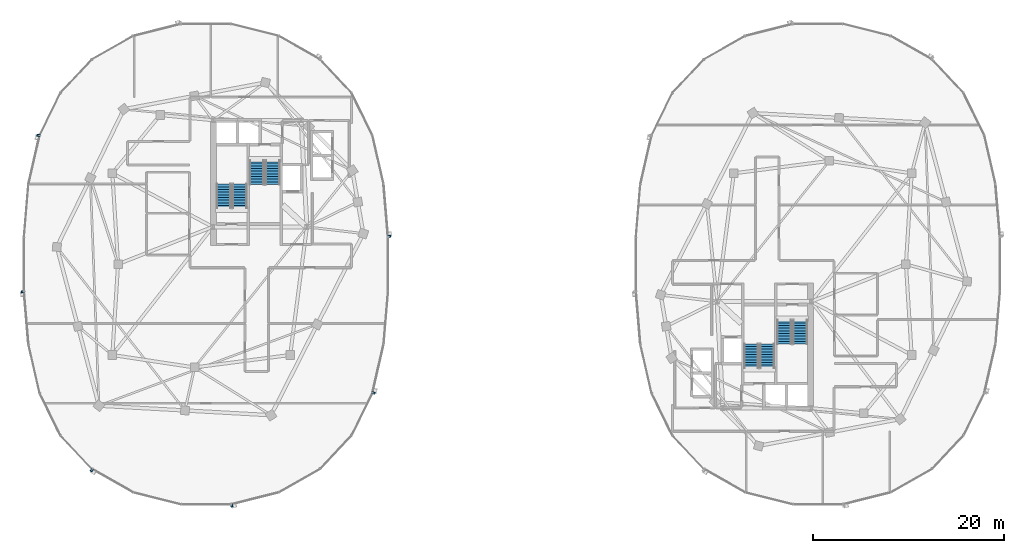
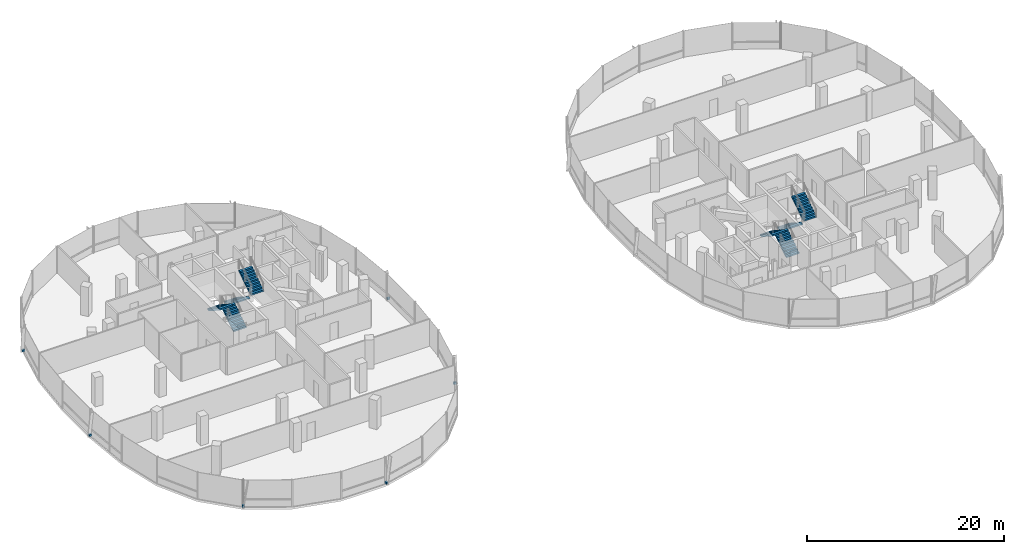
# One storey, part 18 of 25: 8 stair flights, 6 discrete accessories, 4 elements without a shape of their own.
"""IFC4 building model written with IfcOpenShell, lengths in metres."""

from ifc_helpers import new_model, si_unit, direction, frame, origin, origin_2d, place, context, subcontext, project, spatial, polyline, rectangle, outline, extrude, material, type_object, element, aggregate, save


model = new_model("IFC4")

# Units and contexts
model_context = context("Model", 3, precision=1e-05, world=origin(), true_north=direction((0.0, 1.0)))
body_context = subcontext(model_context, "Body", "Model", "MODEL_VIEW")
ifc_project = project(units=[si_unit("LENGTHUNIT", "METRE"), si_unit("AREAUNIT", "SQUARE_METRE"), si_unit("VOLUMEUNIT", "CUBIC_METRE"), si_unit("PLANEANGLEUNIT", "RADIAN"), si_unit("MASSUNIT", "GRAM", prefix="KILO"), si_unit("THERMODYNAMICTEMPERATUREUNIT", "KELVIN"), si_unit("POWERUNIT", "WATT")], contexts=[model_context])

# Site, building, storey
site_placement = place(None, origin())
site = spatial("IfcSite", under=ifc_project, at=site_placement, CompositionType="ELEMENT")
building_placement = place(site_placement, origin())
building = spatial("IfcBuilding", under=site, at=building_placement, Name="Cundina Bronze Exchange", CompositionType="ELEMENT")
storey_placement = place(building_placement, frame((0.0, 0.0, 220.60009765625)))
storey = spatial("IfcBuildingStorey", under=building, at=storey_placement, Name="L58", CompositionType="ELEMENT", Elevation=220.60009765625)

# Stair, stair flights
ifc_material_1 = material(Name="Concrete C40/50", Category="concrete")
stair_type = type_object("IfcStairType", Name="STR-OFF-360", PredefinedType="HALF_TURN_STAIR", material=ifc_material_1)
stair_1_placement = place(storey_placement, origin())
stair_1 = element("IfcStair", 1, at=stair_1_placement, inside=storey, type_object=stair_type, Name="L58 Smokeproof Exit Stair W1", PredefinedType="HALF_TURN_STAIR")
stair_flight_type = type_object("IfcStairFlightType", Name="FLG-OFF-180", PredefinedType="STRAIGHT", material=ifc_material_1)
stair_flight_1_placement = place(storey_placement, frame((-28.489990234375, 5.85009765625, 0.0), z_axis=(0.0, 0.0, 1.0), x_axis=(0.0, 1.0, 0.0)))
stair_flight_1 = element("IfcStairFlight", 2, at=stair_flight_1_placement, type_object=stair_flight_type, Name="ST-W1 flight 1", NumberOfRisers=10, NumberOfTreads=9, PredefinedType="STRAIGHT", RiserHeight=0.18, TreadLength=0.28, context=body_context, shape_type="SweptSolid", body=[
    extrude(outline(polyline([(0.0, 0.0), (0.0, 0.179931640625), (0.280029296875, 0.179931640625), (0.280029296875, 0.360107421875), (0.56005859375, 0.360107421875), (0.56005859375, 0.5400390625), (0.840087890625, 0.5400390625), (0.840087890625, 0.719970703125), (1.1201171875, 0.719970703125), (1.1201171875, 0.89990234375), (1.39990234375, 0.89990234375), (1.39990234375, 1.080078125), (1.679931640625, 1.080078125), (1.679931640625, 1.260009765625), (1.9599609375, 1.260009765625), (1.9599609375, 1.43994140625), (2.239990234375, 1.43994140625), (2.239990234375, 1.6201171875), (2.52001953125, 1.6201171875), (2.52001953125, 1.800048828125), (2.52001953125, 1.44189453125), (0.277099609375, 0.0), (0.0, 0.0)])), frame((0.0, 0.75, 0.0), z_axis=(0.0, -1.0, 0.0), x_axis=(1.0, 0.0, 0.0)), (0.0, 0.0, 1.0), 1.5),
])
stair_flight_2_placement = place(storey_placement, frame((-30.14990234375, 8.3701171875, 1.7998046875), z_axis=(0.0, 0.0, 1.0), x_axis=(0.0, -1.0, 0.0)))
stair_flight_2 = element("IfcStairFlight", 3, at=stair_flight_2_placement, type_object=stair_flight_type, Name="ST-W1 flight 2", NumberOfRisers=10, NumberOfTreads=9, PredefinedType="STRAIGHT", RiserHeight=0.18, TreadLength=0.28, context=body_context, shape_type="SweptSolid", body=[
    extrude(outline(polyline([(0.0, 0.0), (0.0, 0.179931640625), (0.280029296875, 0.179931640625), (0.280029296875, 0.360107421875), (0.56005859375, 0.360107421875), (0.56005859375, 0.5400390625), (0.840087890625, 0.5400390625), (0.840087890625, 0.719970703125), (1.1201171875, 0.719970703125), (1.1201171875, 0.89990234375), (1.39990234375, 0.89990234375), (1.39990234375, 1.080078125), (1.679931640625, 1.080078125), (1.679931640625, 1.260009765625), (1.9599609375, 1.260009765625), (1.9599609375, 1.43994140625), (2.239990234375, 1.43994140625), (2.239990234375, 1.6201171875), (2.52001953125, 1.6201171875), (2.52001953125, 1.800048828125), (2.52001953125, 1.44189453125), (0.277099609375, 0.0), (0.0, 0.0)])), frame((0.0, 0.75, 0.0), z_axis=(0.0, -1.0, 0.0), x_axis=(1.0, 0.0, 0.0)), (0.0, 0.0, 1.0), 1.5),
])
aggregate(stair_1, [stair_flight_1, stair_flight_2])

stair_2_placement = place(storey_placement, origin())
stair_2 = element("IfcStair", 4, at=stair_2_placement, inside=storey, type_object=stair_type, Name="L58 Smokeproof Exit Stair W2", PredefinedType="HALF_TURN_STAIR")
stair_flight_3_placement = place(storey_placement, frame((-26.68994140625, 10.85009765625, 0.0), z_axis=(0.0, 0.0, 1.0), x_axis=(0.0, -1.0, 0.0)))
stair_flight_3 = element("IfcStairFlight", 5, at=stair_flight_3_placement, type_object=stair_flight_type, Name="ST-W2 flight 1", NumberOfRisers=10, NumberOfTreads=9, PredefinedType="STRAIGHT", RiserHeight=0.18, TreadLength=0.28, context=body_context, shape_type="SweptSolid", body=[
    extrude(outline(polyline([(0.0, 0.0), (0.0, 0.179931640625), (0.280029296875, 0.179931640625), (0.280029296875, 0.360107421875), (0.56005859375, 0.360107421875), (0.56005859375, 0.5400390625), (0.840087890625, 0.5400390625), (0.840087890625, 0.719970703125), (1.1201171875, 0.719970703125), (1.1201171875, 0.89990234375), (1.39990234375, 0.89990234375), (1.39990234375, 1.080078125), (1.679931640625, 1.080078125), (1.679931640625, 1.260009765625), (1.9599609375, 1.260009765625), (1.9599609375, 1.43994140625), (2.239990234375, 1.43994140625), (2.239990234375, 1.6201171875), (2.52001953125, 1.6201171875), (2.52001953125, 1.800048828125), (2.52001953125, 1.44189453125), (0.277099609375, 0.0), (0.0, 0.0)])), frame((0.0, 0.75, 0.0), z_axis=(0.0, -1.0, 0.0), x_axis=(1.0, 0.0, 0.0)), (0.0, 0.0, 1.0), 1.5),
])
stair_flight_4_placement = place(storey_placement, frame((-25.030029296875, 8.330078125, 1.7998046875), z_axis=(0.0, 0.0, 1.0), x_axis=(0.0, 1.0, 0.0)))
stair_flight_4 = element("IfcStairFlight", 6, at=stair_flight_4_placement, type_object=stair_flight_type, Name="ST-W2 flight 2", NumberOfRisers=10, NumberOfTreads=9, PredefinedType="STRAIGHT", RiserHeight=0.18, TreadLength=0.28, context=body_context, shape_type="SweptSolid", body=[
    extrude(outline(polyline([(0.0, 0.0), (0.0, 0.179931640625), (0.280029296875, 0.179931640625), (0.280029296875, 0.360107421875), (0.56005859375, 0.360107421875), (0.56005859375, 0.5400390625), (0.840087890625, 0.5400390625), (0.840087890625, 0.719970703125), (1.1201171875, 0.719970703125), (1.1201171875, 0.89990234375), (1.39990234375, 0.89990234375), (1.39990234375, 1.080078125), (1.679931640625, 1.080078125), (1.679931640625, 1.260009765625), (1.9599609375, 1.260009765625), (1.9599609375, 1.43994140625), (2.239990234375, 1.43994140625), (2.239990234375, 1.6201171875), (2.52001953125, 1.6201171875), (2.52001953125, 1.800048828125), (2.52001953125, 1.44189453125), (0.277099609375, 0.0), (0.0, 0.0)])), frame((0.0, 0.75, 0.0), z_axis=(0.0, -1.0, 0.0), x_axis=(1.0, 0.0, 0.0)), (0.0, 0.0, 1.0), 1.5),
])
aggregate(stair_2, [stair_flight_3, stair_flight_4])

stair_3_placement = place(storey_placement, origin())
stair_3 = element("IfcStair", 7, at=stair_3_placement, inside=storey, type_object=stair_type, Name="L58 Smokeproof Exit Stair E1", PredefinedType="HALF_TURN_STAIR")
stair_flight_5_placement = place(storey_placement, frame((28.489990234375, -5.85009765625, 0.0), z_axis=(0.0, 0.0, 1.0), x_axis=(0.0, -1.0, 0.0)))
stair_flight_5 = element("IfcStairFlight", 8, at=stair_flight_5_placement, type_object=stair_flight_type, Name="ST-E1 flight 1", NumberOfRisers=10, NumberOfTreads=9, PredefinedType="STRAIGHT", RiserHeight=0.18, TreadLength=0.28, context=body_context, shape_type="SweptSolid", body=[
    extrude(outline(polyline([(0.0, 0.0), (0.0, 0.179931640625), (0.280029296875, 0.179931640625), (0.280029296875, 0.360107421875), (0.56005859375, 0.360107421875), (0.56005859375, 0.5400390625), (0.840087890625, 0.5400390625), (0.840087890625, 0.719970703125), (1.1201171875, 0.719970703125), (1.1201171875, 0.89990234375), (1.39990234375, 0.89990234375), (1.39990234375, 1.080078125), (1.679931640625, 1.080078125), (1.679931640625, 1.260009765625), (1.9599609375, 1.260009765625), (1.9599609375, 1.43994140625), (2.239990234375, 1.43994140625), (2.239990234375, 1.6201171875), (2.52001953125, 1.6201171875), (2.52001953125, 1.800048828125), (2.52001953125, 1.44189453125), (0.277099609375, 0.0), (0.0, 0.0)])), frame((0.0, 0.75, 0.0), z_axis=(0.0, -1.0, 0.0), x_axis=(1.0, 0.0, 0.0)), (0.0, 0.0, 1.0), 1.5),
])
stair_flight_6_placement = place(storey_placement, frame((30.14990234375, -8.3701171875, 1.7998046875), z_axis=(0.0, 0.0, 1.0), x_axis=(0.0, 1.0, 0.0)))
stair_flight_6 = element("IfcStairFlight", 9, at=stair_flight_6_placement, type_object=stair_flight_type, Name="ST-E1 flight 2", NumberOfRisers=10, NumberOfTreads=9, PredefinedType="STRAIGHT", RiserHeight=0.18, TreadLength=0.28, context=body_context, shape_type="SweptSolid", body=[
    extrude(outline(polyline([(0.0, 0.0), (0.0, 0.179931640625), (0.280029296875, 0.179931640625), (0.280029296875, 0.360107421875), (0.56005859375, 0.360107421875), (0.56005859375, 0.5400390625), (0.840087890625, 0.5400390625), (0.840087890625, 0.719970703125), (1.1201171875, 0.719970703125), (1.1201171875, 0.89990234375), (1.39990234375, 0.89990234375), (1.39990234375, 1.080078125), (1.679931640625, 1.080078125), (1.679931640625, 1.260009765625), (1.9599609375, 1.260009765625), (1.9599609375, 1.43994140625), (2.239990234375, 1.43994140625), (2.239990234375, 1.6201171875), (2.52001953125, 1.6201171875), (2.52001953125, 1.800048828125), (2.52001953125, 1.44189453125), (0.277099609375, 0.0), (0.0, 0.0)])), frame((0.0, 0.75, 0.0), z_axis=(0.0, -1.0, 0.0), x_axis=(1.0, 0.0, 0.0)), (0.0, 0.0, 1.0), 1.5),
])
aggregate(stair_3, [stair_flight_5, stair_flight_6])

stair_4_placement = place(storey_placement, origin())
stair_4 = element("IfcStair", 10, at=stair_4_placement, inside=storey, type_object=stair_type, Name="L58 Smokeproof Exit Stair E2", PredefinedType="HALF_TURN_STAIR")
stair_flight_7_placement = place(storey_placement, frame((26.68994140625, -10.85009765625, 0.0), z_axis=(0.0, 0.0, 1.0), x_axis=(0.0, 1.0, 0.0)))
stair_flight_7 = element("IfcStairFlight", 11, at=stair_flight_7_placement, type_object=stair_flight_type, Name="ST-E2 flight 1", NumberOfRisers=10, NumberOfTreads=9, PredefinedType="STRAIGHT", RiserHeight=0.18, TreadLength=0.28, context=body_context, shape_type="SweptSolid", body=[
    extrude(outline(polyline([(0.0, 0.0), (0.0, 0.179931640625), (0.280029296875, 0.179931640625), (0.280029296875, 0.360107421875), (0.56005859375, 0.360107421875), (0.56005859375, 0.5400390625), (0.840087890625, 0.5400390625), (0.840087890625, 0.719970703125), (1.1201171875, 0.719970703125), (1.1201171875, 0.89990234375), (1.39990234375, 0.89990234375), (1.39990234375, 1.080078125), (1.679931640625, 1.080078125), (1.679931640625, 1.260009765625), (1.9599609375, 1.260009765625), (1.9599609375, 1.43994140625), (2.239990234375, 1.43994140625), (2.239990234375, 1.6201171875), (2.52001953125, 1.6201171875), (2.52001953125, 1.800048828125), (2.52001953125, 1.44189453125), (0.277099609375, 0.0), (0.0, 0.0)])), frame((0.0, 0.75, 0.0), z_axis=(0.0, -1.0, 0.0), x_axis=(1.0, 0.0, 0.0)), (0.0, 0.0, 1.0), 1.5),
])
stair_flight_8_placement = place(storey_placement, frame((25.030029296875, -8.330078125, 1.7998046875), z_axis=(0.0, 0.0, 1.0), x_axis=(0.0, -1.0, 0.0)))
stair_flight_8 = element("IfcStairFlight", 12, at=stair_flight_8_placement, type_object=stair_flight_type, Name="ST-E2 flight 2", NumberOfRisers=10, NumberOfTreads=9, PredefinedType="STRAIGHT", RiserHeight=0.18, TreadLength=0.28, context=body_context, shape_type="SweptSolid", body=[
    extrude(outline(polyline([(0.0, 0.0), (0.0, 0.179931640625), (0.280029296875, 0.179931640625), (0.280029296875, 0.360107421875), (0.56005859375, 0.360107421875), (0.56005859375, 0.5400390625), (0.840087890625, 0.5400390625), (0.840087890625, 0.719970703125), (1.1201171875, 0.719970703125), (1.1201171875, 0.89990234375), (1.39990234375, 0.89990234375), (1.39990234375, 1.080078125), (1.679931640625, 1.080078125), (1.679931640625, 1.260009765625), (1.9599609375, 1.260009765625), (1.9599609375, 1.43994140625), (2.239990234375, 1.43994140625), (2.239990234375, 1.6201171875), (2.52001953125, 1.6201171875), (2.52001953125, 1.800048828125), (2.52001953125, 1.44189453125), (0.277099609375, 0.0), (0.0, 0.0)])), frame((0.0, 0.75, 0.0), z_axis=(0.0, -1.0, 0.0), x_axis=(1.0, 0.0, 0.0)), (0.0, 0.0, 1.0), 1.5),
])
aggregate(stair_4, [stair_flight_7, stair_flight_8])

# Discrete accessories
ifc_material_2 = material(Name="Anodised Bronze Aluminium 6063-T6", Category="aluminium")
discrete_accessory_type = type_object("IfcDiscreteAccessoryType", Name="ACC-BRK-FIN", PredefinedType="BRACKET", material=ifc_material_2)
for number, where, z_axis, x_axis, name in (
    (13, (-12.84521484375, 2.893798828125, 0.10009765625), (0.0, 0.0, 1.0), (-0.083747411454, 0.996487015006, 0.0), "L58 Fin Support Bracket 1"),
    (14, (-49.529541015625, 13.468505859375, 0.10009765625), (0.0, 0.0, 1.0), (-0.223284141459, -0.974753400698, 0.0), "L58 Fin Support Bracket 5"),
    (15, (-51.15478515625, -2.893798828125, 0.10009765625), (0.0, 0.0, 1.0), (0.083747411454, -0.996487015006, 0.0), "L58 Fin Support Bracket 1"),
    (16, (-43.961181640625, -21.539794921875, 0.10009765625), (0.0, 0.0, 1.0), (0.869572506985, -0.493805280547, 0.0), "L58 Fin Support Bracket 5"),
    (17, (-29.321044921875, -25.23779296875, 0.10009765625), (0.0, 0.0, 1.0), (0.969731542251, 0.244173577528, 0.0), "L58 Fin Support Bracket 1"),
    (18, (-14.470458984375, -13.468505859375, 0.10009765625), (0.0, 0.0, 1.0), (0.223284141459, 0.974753400698, 0.0), "L58 Fin Support Bracket 5"),
):
    element("IfcDiscreteAccessory", number, at=place(storey_placement, frame(where, z_axis=z_axis, x_axis=x_axis)), inside=storey, type_object=discrete_accessory_type, Name=name, PredefinedType="BRACKET", context=body_context, shape_type="SweptSolid", body=[
        extrude(rectangle(XDim=0.219970703125, YDim=0.320068359375, at=origin_2d()), origin(), (0.0, 0.0, 1.0), 0.239990234375),
    ])

save(model, "model.ifc")
